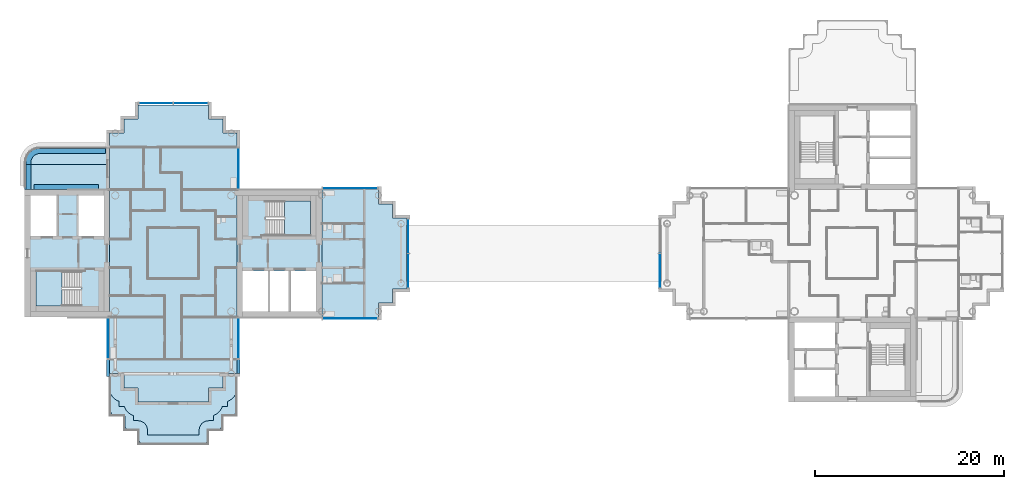
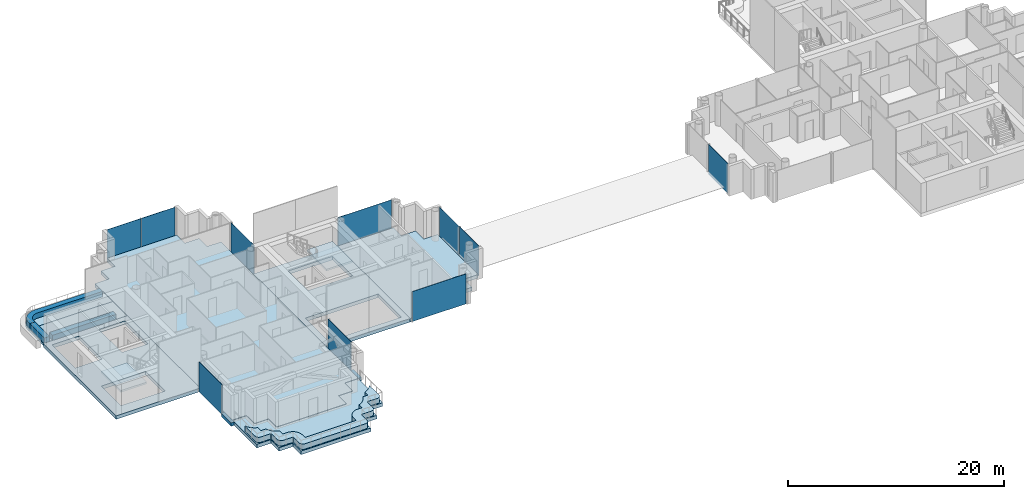
# One storey, part 5 of 19: 15 slabs, 10 plates, 10 elements without a shape of their own.
"""IFC4 building model written with IfcOpenShell, lengths in metres."""

from ifc_helpers import new_model, si_unit, direction, frame, origin, origin_2d, place, context, subcontext, project, spatial, polyline, rectangle, outline, extrude, material, layer, layer_set, type_object, element, aggregate, save


model = new_model("IFC4")

# Units and contexts
model_context = context("Model", 3, precision=1e-05, world=origin(), true_north=direction((0.0, 1.0)))
body_context = subcontext(model_context, "Body", "Model", "MODEL_VIEW")
ifc_project = project(units=[si_unit("LENGTHUNIT", "METRE"), si_unit("AREAUNIT", "SQUARE_METRE"), si_unit("VOLUMEUNIT", "CUBIC_METRE"), si_unit("PLANEANGLEUNIT", "RADIAN"), si_unit("MASSUNIT", "GRAM", prefix="KILO")], contexts=[model_context])

# Site, building, storey
site_placement = place(None, origin())
site = spatial("IfcSite", under=ifc_project, at=site_placement, CompositionType="ELEMENT")
building_placement = place(site_placement, origin())
building = spatial("IfcBuilding", under=site, at=building_placement, Name="Ipe Terrace Towers", CompositionType="ELEMENT")
storey_placement = place(building_placement, frame((0.0, 0.0, 185.800048828125)))
storey = spatial("IfcBuildingStorey", under=building, at=storey_placement, Name="L51", CompositionType="ELEMENT", Elevation=185.800048828125)

# Slabs
ifc_material_1 = material(Name="Concrete C30/37", Category="concrete")
ifc_layer_1 = layer(ifc_material_1, 0.199951171875)
ifc_layer_set_1 = layer_set([ifc_layer_1], Name="BALCONY SLAB 200")
slab_type_1 = type_object("IfcSlabType", Name="BALCONY SLAB 200", PredefinedType="FLOOR", material=ifc_layer_set_1)
slab_1_placement = place(storey_placement, frame((0.0, 0.0, -0.219970703125)))
element("IfcSlab", 1, at=slab_1_placement, inside=storey, type_object=slab_type_1, Name="balcony slab", PredefinedType="FLOOR", context=body_context, shape_type="SweptSolid", body=[
    extrude(outline(polyline([(-51.75, 6.75), (-42.75, 6.75), (-42.75, 9.449951171875), (-51.75, 9.449951171875), (-51.75, 6.75)])), origin(), (0.0, 0.0, 1.0), 0.199951171875),
])
slab_2_placement = place(storey_placement, frame((0.0, 0.0, -0.219970703125)))
element("IfcSlab", 2, at=slab_2_placement, inside=storey, type_object=slab_type_1, Name="balcony slab", PredefinedType="FLOOR", context=body_context, shape_type="SweptSolid", body=[
    extrude(outline(polyline([(-42.75, 11.25), (-50.14990234375, 11.25), (-50.35888671875, 11.236083984375), (-50.56396484375, 11.195068359375), (-50.761962890625, 11.1279296875), (-50.949951171875, 11.035888671875), (-51.1240234375, 10.9189453125), (-51.281005859375, 10.781005859375), (-51.4189453125, 10.6240234375), (-51.535888671875, 10.449951171875), (-51.6279296875, 10.261962890625), (-51.695068359375, 10.06396484375), (-51.736083984375, 9.85888671875), (-51.75, 9.64990234375), (-51.75, 9.449951171875), (-42.75, 9.449951171875), (-42.75, 11.25)])), origin(), (0.0, 0.0, 1.0), 0.199951171875),
])
ifc_material_2 = material(Name="Concrete C30/37", Category="concrete")
ifc_layer_2 = layer(ifc_material_2, 0.39990234375)
ifc_layer_set_2 = layer_set([ifc_layer_2], Name="CORE FLOOR SLAB 400 C30-37")
slab_type_2 = type_object("IfcSlabType", Name="CORE FLOOR SLAB 400 C30-37", PredefinedType="FLOOR", material=ifc_layer_set_2)
slab_3_placement = place(storey_placement, frame((0.0, 0.0, -0.400146484375)))
element("IfcSlab", 3, at=slab_3_placement, inside=storey, type_object=slab_type_2, Name="Core floor T1-C1", PredefinedType="FLOOR", context=body_context, shape_type="SweptSolid", body=[
    extrude(outline(polyline([(-29.25, -6.75), (-29.25, 6.75), (-20.25, 6.75), (-20.25, -6.75), (-29.25, -6.75)]), holes=[polyline([(-28.64990234375, -6.14990234375), (-20.85009765625, -6.14990234375), (-20.85009765625, -1.85009765625), (-28.64990234375, -1.85009765625), (-28.64990234375, -6.14990234375)]), polyline([(-26.199951171875, 5.550048828125), (-26.199951171875, 1.89990234375), (-21.449951171875, 1.89990234375), (-21.449951171875, 5.550048828125), (-26.199951171875, 5.550048828125)])]), origin(), (0.0, 0.0, 1.0), 0.400146484375),
])
slab_4_placement = place(storey_placement, frame((0.0, 0.0, -0.400146484375)))
element("IfcSlab", 4, at=slab_4_placement, inside=storey, type_object=slab_type_2, Name="Core floor T1-C2", PredefinedType="FLOOR", context=body_context, shape_type="SweptSolid", body=[
    extrude(outline(polyline([(-51.75, -6.75), (-51.75, 6.75), (-42.75, 6.75), (-42.75, -6.75), (-51.75, -6.75)]), holes=[polyline([(-45.800048828125, -1.89990234375), (-50.550048828125, -1.89990234375), (-50.550048828125, -5.550048828125), (-45.800048828125, -5.550048828125), (-45.800048828125, -1.89990234375)]), polyline([(-48.25, 1.85009765625), (-48.25, 6.14990234375), (-51.14990234375, 6.14990234375), (-51.14990234375, 1.85009765625), (-48.25, 1.85009765625)]), polyline([(-43.35009765625, 1.85009765625), (-43.35009765625, 6.14990234375), (-46.14990234375, 6.14990234375), (-46.14990234375, 1.85009765625), (-43.35009765625, 1.85009765625)])]), origin(), (0.0, 0.0, 1.0), 0.400146484375),
])

# Stair, slab
ifc_material_3 = material(Name="Concrete C30/37", Category="concrete")
stair_type = type_object("IfcStairType", Name="Protected exit stair", PredefinedType="HALF_TURN_STAIR", material=ifc_material_3)
stair_1_placement = place(storey_placement, origin())
stair_1 = element("IfcStair", 5, at=stair_1_placement, inside=storey, type_object=stair_type, Name="L51 Exit stair T1-C1", PredefinedType="HALF_TURN_STAIR")
ifc_material_4 = material(Name="Concrete C30/37", Category="concrete")
ifc_layer_3 = layer(ifc_material_4, 0.199951171875)
ifc_layer_set_3 = layer_set([ifc_layer_3], Name="Exit stair landing 200")
slab_type_3 = type_object("IfcSlabType", Name="Exit stair landing 200", PredefinedType="LANDING", material=ifc_layer_set_3)
slab_5_placement = place(storey_placement, frame((0.0, 0.0, 1.5)))
slab_5 = element("IfcSlab", 6, at=slab_5_placement, type_object=slab_type_3, Name="T1-ST1 landing 1", PredefinedType="LANDING", context=body_context, shape_type="SweptSolid", body=[
    extrude(outline(polyline([(-24.219970703125, 1.89990234375), (-21.449951171875, 1.89990234375), (-21.449951171875, 5.550048828125), (-24.219970703125, 5.550048828125), (-24.219970703125, 1.89990234375)])), origin(), (0.0, 0.0, 1.0), 0.199951171875),
])
aggregate(stair_1, [slab_5])

stair_2_placement = place(storey_placement, origin())
stair_2 = element("IfcStair", 7, at=stair_2_placement, inside=storey, type_object=stair_type, Name="L51 Exit stair T1-C2", PredefinedType="HALF_TURN_STAIR")
slab_6_placement = place(storey_placement, frame((0.0, 0.0, 1.5)))
slab_6 = element("IfcSlab", 8, at=slab_6_placement, type_object=slab_type_3, Name="T1-ST2 landing 1", PredefinedType="LANDING", context=body_context, shape_type="SweptSolid", body=[
    extrude(outline(polyline([(-47.780029296875, -1.89990234375), (-50.550048828125, -1.89990234375), (-50.550048828125, -5.550048828125), (-47.780029296875, -5.550048828125), (-47.780029296875, -1.89990234375)])), origin(), (0.0, 0.0, 1.0), 0.199951171875),
])
aggregate(stair_2, [slab_6])

# Slabs
ifc_material_5 = material(Name="Concrete C40/50", Category="concrete")
ifc_layer_4 = layer(ifc_material_5, 0.39990234375)
ifc_layer_set_4 = layer_set([ifc_layer_4], Name="FLAT PLATE SLAB 400 C40-50")
slab_type_4 = type_object("IfcSlabType", Name="FLAT PLATE SLAB 400 C40-50", PredefinedType="FLOOR", material=ifc_layer_set_4)
slab_7_placement = place(storey_placement, frame((0.0, 0.0, -0.400146484375)))
element("IfcSlab", 9, at=slab_7_placement, inside=storey, type_object=slab_type_4, Name="Slab T1-FS-Z41", PredefinedType="FLOOR", context=body_context, shape_type="SweptSolid", body=[
    extrude(outline(polyline([(-30.75, -12.75), (-30.75, -14.25), (-32.25, -14.25), (-32.25, -15.75), (-39.75, -15.75), (-39.75, -14.25), (-41.25, -14.25), (-41.25, -12.75), (-42.75, -12.75), (-42.75, -6.75), (-42.75, 6.75), (-42.75, 12.75), (-41.25, 12.75), (-41.25, 14.25), (-39.75, 14.25), (-39.75, 15.75), (-32.25, 15.75), (-32.25, 14.25), (-30.75, 14.25), (-30.75, 12.75), (-29.25, 12.75), (-29.25, 6.75), (-29.25, -6.75), (-29.25, -12.75), (-30.75, -12.75)])), origin(), (0.0, 0.0, 1.0), 0.400146484375),
])
slab_8_placement = place(storey_placement, frame((0.0, 0.0, -0.400146484375)))
element("IfcSlab", 10, at=slab_8_placement, inside=storey, type_object=slab_type_4, Name="Slab T1-FS-Z42", PredefinedType="FLOOR", context=body_context, shape_type="SweptSolid", body=[
    extrude(outline(polyline([(-14.25, 5.25), (-12.75, 5.25), (-12.75, 3.75), (-11.25, 3.75), (-11.25, -3.75), (-12.75, -3.75), (-12.75, -5.25), (-14.25, -5.25), (-14.25, -6.75), (-20.25, -6.75), (-20.25, 6.75), (-14.25, 6.75), (-14.25, 5.25)])), origin(), (0.0, 0.0, 1.0), 0.400146484375),
])
slab_9_placement = place(storey_placement, frame((0.0, 0.0, -0.400146484375)))
element("IfcSlab", 11, at=slab_9_placement, inside=storey, type_object=slab_type_4, Name="Slab ledge", PredefinedType="FLOOR", context=body_context, shape_type="SweptSolid", body=[
    extrude(outline(polyline([(-42.75, -11.25), (-42.75, -13.070068359375), (-43.070068359375, -13.070068359375), (-43.070068359375, -11.25), (-42.75, -11.25)])), origin(), (0.0, 0.0, 1.0), 0.400146484375),
])
slab_10_placement = place(storey_placement, frame((0.0, 0.0, -0.400146484375)))
element("IfcSlab", 12, at=slab_10_placement, inside=storey, type_object=slab_type_4, Name="Slab ledge", PredefinedType="FLOOR", context=body_context, shape_type="SweptSolid", body=[
    extrude(outline(polyline([(-29.25, -12.75), (-29.25, -11.25), (-28.929931640625, -11.25), (-28.929931640625, -12.75), (-29.25, -12.75)])), origin(), (0.0, 0.0, 1.0), 0.400146484375),
])
ifc_material_6 = material(Name="Concrete C30/37", Category="concrete")
ifc_layer_5 = layer(ifc_material_6, 0.60009765625)
ifc_layer_set_5 = layer_set([ifc_layer_5], Name="PLANTER TROUGH 550 x 600")
slab_type_5 = type_object("IfcSlabType", Name="PLANTER TROUGH 550 x 600", PredefinedType="USERDEFINED", material=ifc_layer_set_5)
slab_11_placement = place(storey_placement, frame((0.0, 0.0, -0.02001953125)))
element("IfcSlab", 13, at=slab_11_placement, inside=storey, type_object=slab_type_5, Name="planter", ObjectType="PLANTER", PredefinedType="USERDEFINED", context=body_context, shape_type="SweptSolid", body=[
    extrude(outline(polyline([(-51.639892578125, 6.75), (-51.090087890625, 6.75), (-51.090087890625, 9.449951171875), (-51.639892578125, 9.449951171875), (-51.639892578125, 6.75)])), origin(), (0.0, 0.0, 1.0), 0.599853515625),
])
slab_12_placement = place(storey_placement, frame((0.0, 0.0, -0.02001953125)))
element("IfcSlab", 14, at=slab_12_placement, inside=storey, type_object=slab_type_5, Name="planter", ObjectType="PLANTER", PredefinedType="USERDEFINED", context=body_context, shape_type="SweptSolid", body=[
    extrude(outline(polyline([(-51.056884765625, 9.89306640625), (-51.01708984375, 10.009033203125), (-50.962890625, 10.118896484375), (-50.89501953125, 10.220947265625), (-50.81396484375, 10.31396484375), (-50.720947265625, 10.39501953125), (-50.618896484375, 10.462890625), (-50.509033203125, 10.51708984375), (-50.39306640625, 10.556884765625), (-50.27294921875, 10.5810546875), (-50.1279296875, 10.590087890625), (-43.199951171875, 10.590087890625), (-43.199951171875, 11.139892578125), (-50.136962890625, 11.139892578125), (-50.155029296875, 11.138916015625), (-50.325927734375, 11.1279296875), (-50.362060546875, 11.1240234375), (-50.51806640625, 11.093017578125), (-50.552978515625, 11.0830078125), (-50.702880859375, 11.031982421875), (-50.736083984375, 11.01806640625), (-50.87890625, 10.947998046875), (-50.909912109375, 10.929931640625), (-51.0419921875, 10.842041015625), (-51.070068359375, 10.820068359375), (-51.18994140625, 10.715087890625), (-51.215087890625, 10.68994140625), (-51.320068359375, 10.570068359375), (-51.342041015625, 10.5419921875), (-51.429931640625, 10.409912109375), (-51.447998046875, 10.37890625), (-51.51806640625, 10.236083984375), (-51.531982421875, 10.202880859375), (-51.5830078125, 10.052978515625), (-51.593017578125, 10.01806640625), (-51.6240234375, 9.862060546875), (-51.6279296875, 9.825927734375), (-51.638916015625, 9.655029296875), (-51.639892578125, 9.636962890625), (-51.639892578125, 9.449951171875), (-51.090087890625, 9.449951171875), (-51.090087890625, 9.6279296875), (-51.0810546875, 9.77294921875), (-51.056884765625, 9.89306640625)])), origin(), (0.0, 0.0, 1.0), 0.599853515625),
])
slab_13_placement = place(storey_placement, frame((0.0, 0.0, -0.02001953125)))
element("IfcSlab", 15, at=slab_13_placement, inside=storey, type_object=slab_type_5, Name="planter", ObjectType="PLANTER", PredefinedType="USERDEFINED", context=body_context, shape_type="SweptSolid", body=[
    extrude(outline(polyline([(-43.949951171875, 6.75), (-43.949951171875, 7.300048828125), (-50.75, 7.300048828125), (-50.75, 6.75), (-43.949951171875, 6.75)])), origin(), (0.0, 0.0, 1.0), 0.599853515625),
])
ifc_material_7 = material(Name="Concrete C40/50", Category="concrete")
ifc_layer_6 = layer(ifc_material_7, 0.39990234375)
ifc_layer_set_6 = layer_set([ifc_layer_6], Name="TERRACE DECK SLAB 400 C40-50")
slab_type_6 = type_object("IfcSlabType", Name="TERRACE DECK SLAB 400 C40-50", PredefinedType="FLOOR", material=ifc_layer_set_6)
slab_14_placement = place(storey_placement, frame((0.0, 0.0, -0.420166015625)))
element("IfcSlab", 16, at=slab_14_placement, inside=storey, type_object=slab_type_6, Name="Slab T1-TD-L51-1", PredefinedType="FLOOR", context=body_context, shape_type="SweptSolid", body=[
    extrude(outline(polyline([(-42.7451171875, -17.2451171875), (-42.7451171875, -12.7548828125), (-41.2548828125, -12.7548828125), (-41.2548828125, -14.2548828125), (-39.7548828125, -14.2548828125), (-39.7548828125, -15.7548828125), (-32.2451171875, -15.7548828125), (-32.2451171875, -14.2548828125), (-30.7451171875, -14.2548828125), (-30.7451171875, -12.7548828125), (-29.2548828125, -12.7548828125), (-29.2548828125, -17.2451171875), (-30.7548828125, -17.2451171875), (-30.7548828125, -18.7451171875), (-32.2548828125, -18.7451171875), (-32.2548828125, -20.2451171875), (-39.7451171875, -20.2451171875), (-39.7451171875, -18.7451171875), (-41.2451171875, -18.7451171875), (-41.2451171875, -17.2451171875), (-42.7451171875, -17.2451171875)])), origin(), (0.0, 0.0, 1.0), 0.400146484375),
])
ifc_material_8 = material(Name="Concrete C30/37", Category="concrete")
ifc_layer_7 = layer(ifc_material_8, 0.60009765625)
ifc_layer_set_7 = layer_set([ifc_layer_7], Name="TERRACE PLANTING BED 900 x 600")
slab_type_7 = type_object("IfcSlabType", Name="TERRACE PLANTING BED 900 x 600", PredefinedType="USERDEFINED", material=ifc_layer_set_7)
slab_15_placement = place(storey_placement, frame((0.0, 0.0, -0.02001953125)))
element("IfcSlab", 17, at=slab_15_placement, inside=storey, type_object=slab_type_7, Name="planter", ObjectType="PLANTER", PredefinedType="USERDEFINED", context=body_context, shape_type="SweptSolid", body=[
    extrude(outline(polyline([(-41.739990234375, -16.239990234375), (-41.739990234375, -16.22998046875), (-41.739990234375, -15.68701171875), (-41.83203125, -15.654052734375), (-41.967041015625, -15.591064453125), (-42.093994140625, -15.513916015625), (-42.214111328125, -15.425048828125), (-42.324951171875, -15.324951171875), (-42.425048828125, -15.214111328125), (-42.513916015625, -15.093994140625), (-42.591064453125, -14.967041015625), (-42.639892578125, -14.862060546875), (-42.639892578125, -16.739990234375), (-42.637939453125, -16.779052734375), (-42.632080078125, -16.818115234375), (-42.623046875, -16.85595703125), (-42.610107421875, -16.89306640625), (-42.593017578125, -16.928955078125), (-42.572998046875, -16.9619140625), (-42.549072265625, -16.993896484375), (-42.52294921875, -17.02294921875), (-42.493896484375, -17.049072265625), (-42.4619140625, -17.072998046875), (-42.428955078125, -17.093017578125), (-42.39306640625, -17.110107421875), (-42.35595703125, -17.123046875), (-42.318115234375, -17.132080078125), (-42.279052734375, -17.137939453125), (-42.239990234375, -17.139892578125), (-41.26611328125, -17.139892578125), (-41.256103515625, -17.139892578125), (-41.2490234375, -17.14111328125), (-41.23388671875, -17.14208984375), (-41.222900390625, -17.14404296875), (-41.212890625, -17.14697265625), (-41.202880859375, -17.15087890625), (-41.194091796875, -17.156005859375), (-41.18505859375, -17.162109375), (-41.177001953125, -17.1689453125), (-41.1689453125, -17.177001953125), (-41.162109375, -17.18505859375), (-41.156005859375, -17.194091796875), (-41.15087890625, -17.202880859375), (-41.14697265625, -17.212890625), (-41.14404296875, -17.222900390625), (-41.14208984375, -17.23388671875), (-41.14111328125, -17.2490234375), (-41.139892578125, -17.256103515625), (-41.139892578125, -17.26611328125), (-41.139892578125, -18.239990234375), (-41.137939453125, -18.279052734375), (-41.132080078125, -18.318115234375), (-41.123046875, -18.35595703125), (-41.110107421875, -18.39306640625), (-41.093017578125, -18.428955078125), (-41.072998046875, -18.4619140625), (-41.049072265625, -18.493896484375), (-41.02294921875, -18.52294921875), (-40.993896484375, -18.549072265625), (-40.9619140625, -18.572998046875), (-40.928955078125, -18.593017578125), (-40.89306640625, -18.610107421875), (-40.85595703125, -18.623046875), (-40.818115234375, -18.632080078125), (-40.779052734375, -18.637939453125), (-40.739990234375, -18.639892578125), (-39.76611328125, -18.639892578125), (-39.756103515625, -18.639892578125), (-39.7490234375, -18.64111328125), (-39.73388671875, -18.64208984375), (-39.722900390625, -18.64404296875), (-39.712890625, -18.64697265625), (-39.702880859375, -18.65087890625), (-39.694091796875, -18.656005859375), (-39.68505859375, -18.662109375), (-39.677001953125, -18.6689453125), (-39.6689453125, -18.677001953125), (-39.662109375, -18.68505859375), (-39.656005859375, -18.694091796875), (-39.65087890625, -18.702880859375), (-39.64697265625, -18.712890625), (-39.64404296875, -18.722900390625), (-39.64208984375, -18.73388671875), (-39.64111328125, -18.7490234375), (-39.639892578125, -18.756103515625), (-39.639892578125, -18.76611328125), (-39.639892578125, -19.739990234375), (-39.637939453125, -19.779052734375), (-39.632080078125, -19.818115234375), (-39.623046875, -19.85595703125), (-39.610107421875, -19.89306640625), (-39.593017578125, -19.928955078125), (-39.572998046875, -19.9619140625), (-39.549072265625, -19.993896484375), (-39.52294921875, -20.02294921875), (-39.493896484375, -20.049072265625), (-39.4619140625, -20.072998046875), (-39.428955078125, -20.093017578125), (-39.39306640625, -20.110107421875), (-39.35595703125, -20.123046875), (-39.318115234375, -20.132080078125), (-39.279052734375, -20.137939453125), (-39.239990234375, -20.139892578125), (-32.760009765625, -20.139892578125), (-32.720947265625, -20.137939453125), (-32.681884765625, -20.132080078125), (-32.64404296875, -20.123046875), (-32.60693359375, -20.110107421875), (-32.571044921875, -20.093017578125), (-32.5380859375, -20.072998046875), (-32.506103515625, -20.049072265625), (-32.47705078125, -20.02294921875), (-32.450927734375, -19.993896484375), (-32.427001953125, -19.9619140625), (-32.406982421875, -19.928955078125), (-32.389892578125, -19.89306640625), (-32.376953125, -19.85595703125), (-32.367919921875, -19.818115234375), (-32.362060546875, -19.779052734375), (-32.360107421875, -19.739990234375), (-32.360107421875, -18.76611328125), (-32.360107421875, -18.756103515625), (-32.35888671875, -18.7490234375), (-32.35791015625, -18.73388671875), (-32.35595703125, -18.722900390625), (-32.35302734375, -18.712890625), (-32.34912109375, -18.702880859375), (-32.343994140625, -18.694091796875), (-32.337890625, -18.68505859375), (-32.3310546875, -18.677001953125), (-32.322998046875, -18.6689453125), (-32.31494140625, -18.662109375), (-32.305908203125, -18.656005859375), (-32.297119140625, -18.65087890625), (-32.287109375, -18.64697265625), (-32.277099609375, -18.64404296875), (-32.26611328125, -18.64208984375), (-32.2509765625, -18.64111328125), (-32.243896484375, -18.639892578125), (-32.23388671875, -18.639892578125), (-31.260009765625, -18.639892578125), (-31.220947265625, -18.637939453125), (-31.181884765625, -18.632080078125), (-31.14404296875, -18.623046875), (-31.10693359375, -18.610107421875), (-31.071044921875, -18.593017578125), (-31.0380859375, -18.572998046875), (-31.006103515625, -18.549072265625), (-30.97705078125, -18.52294921875), (-30.950927734375, -18.493896484375), (-30.927001953125, -18.4619140625), (-30.906982421875, -18.428955078125), (-30.889892578125, -18.39306640625), (-30.876953125, -18.35595703125), (-30.867919921875, -18.318115234375), (-30.862060546875, -18.279052734375), (-30.860107421875, -18.239990234375), (-30.860107421875, -17.26611328125), (-30.860107421875, -17.256103515625), (-30.85888671875, -17.2490234375), (-30.85791015625, -17.23388671875), (-30.85595703125, -17.222900390625), (-30.85302734375, -17.212890625), (-30.84912109375, -17.202880859375), (-30.843994140625, -17.194091796875), (-30.837890625, -17.18505859375), (-30.8310546875, -17.177001953125), (-30.822998046875, -17.1689453125), (-30.81494140625, -17.162109375), (-30.805908203125, -17.156005859375), (-30.797119140625, -17.15087890625), (-30.787109375, -17.14697265625), (-30.777099609375, -17.14404296875), (-30.76611328125, -17.14208984375), (-30.7509765625, -17.14111328125), (-30.743896484375, -17.139892578125), (-30.73388671875, -17.139892578125), (-29.760009765625, -17.139892578125), (-29.720947265625, -17.137939453125), (-29.681884765625, -17.132080078125), (-29.64404296875, -17.123046875), (-29.60693359375, -17.110107421875), (-29.571044921875, -17.093017578125), (-29.5380859375, -17.072998046875), (-29.506103515625, -17.049072265625), (-29.47705078125, -17.02294921875), (-29.450927734375, -16.993896484375), (-29.427001953125, -16.9619140625), (-29.406982421875, -16.928955078125), (-29.389892578125, -16.89306640625), (-29.376953125, -16.85595703125), (-29.367919921875, -16.818115234375), (-29.362060546875, -16.779052734375), (-29.360107421875, -16.739990234375), (-29.360107421875, -14.862060546875), (-29.408935546875, -14.967041015625), (-29.486083984375, -15.093994140625), (-29.574951171875, -15.214111328125), (-29.675048828125, -15.324951171875), (-29.785888671875, -15.425048828125), (-29.906005859375, -15.513916015625), (-30.032958984375, -15.591064453125), (-30.16796875, -15.654052734375), (-30.260009765625, -15.68701171875), (-30.260009765625, -16.22998046875), (-30.260009765625, -16.239990234375), (-30.27001953125, -16.239990234375), (-30.7509765625, -16.239990234375), (-30.77099609375, -16.239990234375), (-30.81396484375, -16.242919921875), (-30.845947265625, -16.33203125), (-30.908935546875, -16.467041015625), (-30.986083984375, -16.593994140625), (-31.074951171875, -16.714111328125), (-31.175048828125, -16.824951171875), (-31.285888671875, -16.925048828125), (-31.406005859375, -17.013916015625), (-31.532958984375, -17.091064453125), (-31.66796875, -17.154052734375), (-31.757080078125, -17.18603515625), (-31.760009765625, -17.22900390625), (-31.760009765625, -17.2490234375), (-31.760009765625, -17.72998046875), (-31.760009765625, -17.739990234375), (-31.77001953125, -17.739990234375), (-32.2509765625, -17.739990234375), (-32.27099609375, -17.739990234375), (-32.3291015625, -17.742919921875), (-32.367919921875, -17.7470703125), (-32.427978515625, -17.756103515625), (-32.466064453125, -17.763916015625), (-32.52392578125, -17.778076171875), (-32.56201171875, -17.7900390625), (-32.617919921875, -17.81005859375), (-32.654052734375, -17.824951171875), (-32.708984375, -17.85009765625), (-32.742919921875, -17.868896484375), (-32.794921875, -17.89990234375), (-32.826904296875, -17.9208984375), (-32.875, -17.95703125), (-32.906005859375, -17.98193359375), (-32.949951171875, -18.02197265625), (-32.97802734375, -18.050048828125), (-33.01806640625, -18.093994140625), (-33.04296875, -18.125), (-33.0791015625, -18.173095703125), (-33.10009765625, -18.205078125), (-33.131103515625, -18.257080078125), (-33.14990234375, -18.291015625), (-33.175048828125, -18.345947265625), (-33.18994140625, -18.382080078125), (-33.2099609375, -18.43798828125), (-33.221923828125, -18.47607421875), (-33.236083984375, -18.533935546875), (-33.243896484375, -18.572021484375), (-33.2529296875, -18.632080078125), (-33.257080078125, -18.6708984375), (-33.260009765625, -18.72900390625), (-33.260009765625, -18.7490234375), (-33.260009765625, -19.22998046875), (-33.260009765625, -19.239990234375), (-33.27001953125, -19.239990234375), (-38.72998046875, -19.239990234375), (-38.739990234375, -19.239990234375), (-38.739990234375, -19.22998046875), (-38.739990234375, -18.7490234375), (-38.739990234375, -18.72900390625), (-38.742919921875, -18.6708984375), (-38.7470703125, -18.632080078125), (-38.756103515625, -18.572021484375), (-38.763916015625, -18.533935546875), (-38.778076171875, -18.47607421875), (-38.7900390625, -18.43798828125), (-38.81005859375, -18.382080078125), (-38.824951171875, -18.345947265625), (-38.85009765625, -18.291015625), (-38.868896484375, -18.257080078125), (-38.89990234375, -18.205078125), (-38.9208984375, -18.173095703125), (-38.95703125, -18.125), (-38.98193359375, -18.093994140625), (-39.02197265625, -18.050048828125), (-39.050048828125, -18.02197265625), (-39.093994140625, -17.98193359375), (-39.125, -17.95703125), (-39.173095703125, -17.9208984375), (-39.205078125, -17.89990234375), (-39.257080078125, -17.868896484375), (-39.291015625, -17.85009765625), (-39.345947265625, -17.824951171875), (-39.382080078125, -17.81005859375), (-39.43798828125, -17.7900390625), (-39.47607421875, -17.778076171875), (-39.533935546875, -17.763916015625), (-39.572021484375, -17.756103515625), (-39.632080078125, -17.7470703125), (-39.6708984375, -17.742919921875), (-39.72900390625, -17.739990234375), (-39.7490234375, -17.739990234375), (-40.22998046875, -17.739990234375), (-40.239990234375, -17.739990234375), (-40.239990234375, -17.72998046875), (-40.239990234375, -17.2490234375), (-40.239990234375, -17.22900390625), (-40.242919921875, -17.18603515625), (-40.33203125, -17.154052734375), (-40.467041015625, -17.091064453125), (-40.593994140625, -17.013916015625), (-40.714111328125, -16.925048828125), (-40.824951171875, -16.824951171875), (-40.925048828125, -16.714111328125), (-41.013916015625, -16.593994140625), (-41.091064453125, -16.467041015625), (-41.154052734375, -16.33203125), (-41.18603515625, -16.242919921875), (-41.22900390625, -16.239990234375), (-41.2490234375, -16.239990234375), (-41.72998046875, -16.239990234375), (-41.739990234375, -16.239990234375)])), origin(), (0.0, 0.0, 1.0), 0.599853515625),
])

# Curtain wall, plate
ifc_material_9 = material(Name="Aluminium alloy 6063-T6", Category="aluminium")
ifc_layer_8 = layer(ifc_material_9, 0.320068359375)
ifc_layer_set_8 = layer_set([ifc_layer_8], Name="TOWER UNITISED CURTAIN WALL")
curtain_wall_type = type_object("IfcCurtainWallType", Name="TOWER UNITISED CURTAIN WALL", PredefinedType="NOTDEFINED", material=ifc_layer_set_8)
curtain_wall_1_placement = place(storey_placement, origin())
curtain_wall_1 = element("IfcCurtainWall", 18, at=curtain_wall_1_placement, inside=storey, type_object=curtain_wall_type, Name="T1-CW-L51-16b curtain wall", PredefinedType="NOTDEFINED")
ifc_material_10 = material(Name="Glass, clear laminated", Category="glass")
ifc_layer_9 = layer(ifc_material_10, 0.031982421875)
ifc_layer_set_9 = layer_set([ifc_layer_9], Name="TOWER UNITISED GLASS PANEL 32")
plate_type_1 = type_object("IfcPlateType", Name="TOWER UNITISED GLASS PANEL 32", PredefinedType="CURTAIN_PANEL", material=ifc_layer_set_9)
plate_1_placement = place(storey_placement, frame((-17.24951171875, -6.909912109375, -0.300048828125), z_axis=(0.0, 0.0, 1.0), x_axis=(1.0, 0.0, 0.0)))
plate_1 = element("IfcPlate", 19, at=plate_1_placement, type_object=plate_type_1, Name="T1-CW-L51-16b panel 1", PredefinedType="CURTAIN_PANEL", context=body_context, shape_type="SweptSolid", body=[
    extrude(rectangle(XDim=5.759033203125, YDim=0.031982421875, at=origin_2d()), origin(), (0.0, 0.0, 1.0), 3.39990234375),
])
aggregate(curtain_wall_1, [plate_1])

# Curtain wall, plates
curtain_wall_2_placement = place(storey_placement, origin())
curtain_wall_2 = element("IfcCurtainWall", 20, at=curtain_wall_2_placement, inside=storey, type_object=curtain_wall_type, Name="T1-CW-L51-21a curtain wall", PredefinedType="NOTDEFINED")
plate_2_placement = place(storey_placement, frame((-11.090087890625, -1.831298828125, -0.300048828125), z_axis=(0.0, 0.0, 1.0), x_axis=(0.0, 1.0, 0.0)))
plate_2 = element("IfcPlate", 21, at=plate_2_placement, type_object=plate_type_1, Name="T1-CW-L51-21a panel 1", PredefinedType="CURTAIN_PANEL", context=body_context, shape_type="SweptSolid", body=[
    extrude(rectangle(XDim=3.597412109375, YDim=0.031982421875, at=origin_2d()), origin(), (0.0, 0.0, 1.0), 3.39990234375),
])
plate_3_placement = place(storey_placement, frame((-11.090087890625, 1.831298828125, -0.300048828125), z_axis=(0.0, 0.0, 1.0), x_axis=(0.0, 1.0, 0.0)))
plate_3 = element("IfcPlate", 22, at=plate_3_placement, type_object=plate_type_1, Name="T1-CW-L51-21a panel 2", PredefinedType="CURTAIN_PANEL", context=body_context, shape_type="SweptSolid", body=[
    extrude(rectangle(XDim=3.597412109375, YDim=0.031982421875, at=origin_2d()), origin(), (0.0, 0.0, 1.0), 3.39990234375),
])
aggregate(curtain_wall_2, [plate_2, plate_3])

# Curtain wall, plate
curtain_wall_3_placement = place(storey_placement, origin())
curtain_wall_3 = element("IfcCurtainWall", 23, at=curtain_wall_3_placement, inside=storey, type_object=curtain_wall_type, Name="T1-CW-L51-26a curtain wall", PredefinedType="NOTDEFINED")
plate_4_placement = place(storey_placement, frame((-17.24951171875, 6.909912109375, -0.300048828125), z_axis=(0.0, 0.0, 1.0), x_axis=(-1.0, 0.0, 0.0)))
plate_4 = element("IfcPlate", 24, at=plate_4_placement, type_object=plate_type_1, Name="T1-CW-L51-26a panel 1", PredefinedType="CURTAIN_PANEL", context=body_context, shape_type="SweptSolid", body=[
    extrude(rectangle(XDim=5.759033203125, YDim=0.031982421875, at=origin_2d()), origin(), (0.0, 0.0, 1.0), 3.39990234375),
])
aggregate(curtain_wall_3, [plate_4])

curtain_wall_4_placement = place(storey_placement, origin())
curtain_wall_4 = element("IfcCurtainWall", 25, at=curtain_wall_4_placement, inside=storey, type_object=curtain_wall_type, Name="T1-CW-L51-28a curtain wall", PredefinedType="NOTDEFINED")
plate_5_placement = place(storey_placement, frame((-29.090087890625, 9.0, -0.300048828125), z_axis=(0.0, 0.0, 1.0), x_axis=(0.0, 1.0, 0.0)))
plate_5 = element("IfcPlate", 26, at=plate_5_placement, type_object=plate_type_1, Name="T1-CW-L51-28a panel 1", PredefinedType="CURTAIN_PANEL", context=body_context, shape_type="SweptSolid", body=[
    extrude(rectangle(XDim=4.260009765625, YDim=0.031982421875, at=origin_2d()), origin(), (0.0, 0.0, 1.0), 3.39990234375),
])
aggregate(curtain_wall_4, [plate_5])

# Curtain wall, plates
curtain_wall_5_placement = place(storey_placement, origin())
curtain_wall_5 = element("IfcCurtainWall", 27, at=curtain_wall_5_placement, inside=storey, type_object=curtain_wall_type, Name="T1-CW-L51-34a curtain wall", PredefinedType="NOTDEFINED")
plate_6_placement = place(storey_placement, frame((-34.168701171875, 15.909912109375, -0.300048828125), z_axis=(0.0, 0.0, 1.0), x_axis=(-1.0, 0.0, 0.0)))
plate_6 = element("IfcPlate", 28, at=plate_6_placement, type_object=plate_type_1, Name="T1-CW-L51-34a panel 1", PredefinedType="CURTAIN_PANEL", context=body_context, shape_type="SweptSolid", body=[
    extrude(rectangle(XDim=3.597412109375, YDim=0.031982421875, at=origin_2d()), origin(), (0.0, 0.0, 1.0), 3.39990234375),
])
plate_7_placement = place(storey_placement, frame((-37.831298828125, 15.909912109375, -0.300048828125), z_axis=(0.0, 0.0, 1.0), x_axis=(-1.0, 0.0, 0.0)))
plate_7 = element("IfcPlate", 29, at=plate_7_placement, type_object=plate_type_1, Name="T1-CW-L51-34a panel 2", PredefinedType="CURTAIN_PANEL", context=body_context, shape_type="SweptSolid", body=[
    extrude(rectangle(XDim=3.597412109375, YDim=0.031982421875, at=origin_2d()), origin(), (0.0, 0.0, 1.0), 3.39990234375),
])
aggregate(curtain_wall_5, [plate_6, plate_7])

# Curtain wall, plate
curtain_wall_6_placement = place(storey_placement, origin())
curtain_wall_6 = element("IfcCurtainWall", 30, at=curtain_wall_6_placement, inside=storey, type_object=curtain_wall_type, Name="T2-CW-L51-26a curtain wall", PredefinedType="NOTDEFINED")
plate_8_placement = place(storey_placement, frame((15.590087890625, -1.831298828125, -0.300048828125), z_axis=(0.0, 0.0, 1.0), x_axis=(0.0, -1.0, 0.0)))
plate_8 = element("IfcPlate", 31, at=plate_8_placement, type_object=plate_type_1, Name="T2-CW-L51-26a panel 2", PredefinedType="CURTAIN_PANEL", context=body_context, shape_type="SweptSolid", body=[
    extrude(rectangle(XDim=3.597412109375, YDim=0.031982421875, at=origin_2d()), origin(), (0.0, 0.0, 1.0), 3.39990234375),
])
aggregate(curtain_wall_6, [plate_8])

curtain_wall_7_placement = place(storey_placement, origin())
curtain_wall_7 = element("IfcCurtainWall", 32, at=curtain_wall_7_placement, inside=storey, type_object=curtain_wall_type, Name="T1-CW-L51-02a curtain wall", PredefinedType="NOTDEFINED")
ifc_material_11 = material(Name="Insulated spandrel panel, stone-effect cladding", Category="masonry")
ifc_layer_10 = layer(ifc_material_11, 0.031982421875)
ifc_layer_set_10 = layer_set([ifc_layer_10], Name="TOWER UNITISED SPANDREL PANEL 32")
plate_type_2 = type_object("IfcPlateType", Name="TOWER UNITISED SPANDREL PANEL 32", PredefinedType="CURTAIN_PANEL", material=ifc_layer_set_10)
plate_9_placement = place(storey_placement, frame((-42.909912109375, -9.0, -0.300048828125), z_axis=(0.0, 0.0, 1.0), x_axis=(0.0, -1.0, 0.0)))
plate_9 = element("IfcPlate", 33, at=plate_9_placement, type_object=plate_type_2, Name="T1-CW-L51-02a panel 1", PredefinedType="CURTAIN_PANEL", context=body_context, shape_type="SweptSolid", body=[
    extrude(rectangle(XDim=4.260009765625, YDim=0.031982421875, at=origin_2d()), origin(), (0.0, 0.0, 1.0), 3.39990234375),
])
aggregate(curtain_wall_7, [plate_9])

curtain_wall_8_placement = place(storey_placement, origin())
curtain_wall_8 = element("IfcCurtainWall", 34, at=curtain_wall_8_placement, inside=storey, type_object=curtain_wall_type, Name="T1-CW-L51-14a curtain wall", PredefinedType="NOTDEFINED")
plate_10_placement = place(storey_placement, frame((-29.090087890625, -9.0, -0.300048828125), z_axis=(0.0, 0.0, 1.0), x_axis=(0.0, 1.0, 0.0)))
plate_10 = element("IfcPlate", 35, at=plate_10_placement, type_object=plate_type_2, Name="T1-CW-L51-14a panel 1", PredefinedType="CURTAIN_PANEL", context=body_context, shape_type="SweptSolid", body=[
    extrude(rectangle(XDim=4.260009765625, YDim=0.031982421875, at=origin_2d()), origin(), (0.0, 0.0, 1.0), 3.39990234375),
])
aggregate(curtain_wall_8, [plate_10])

save(model, "model.ifc")
